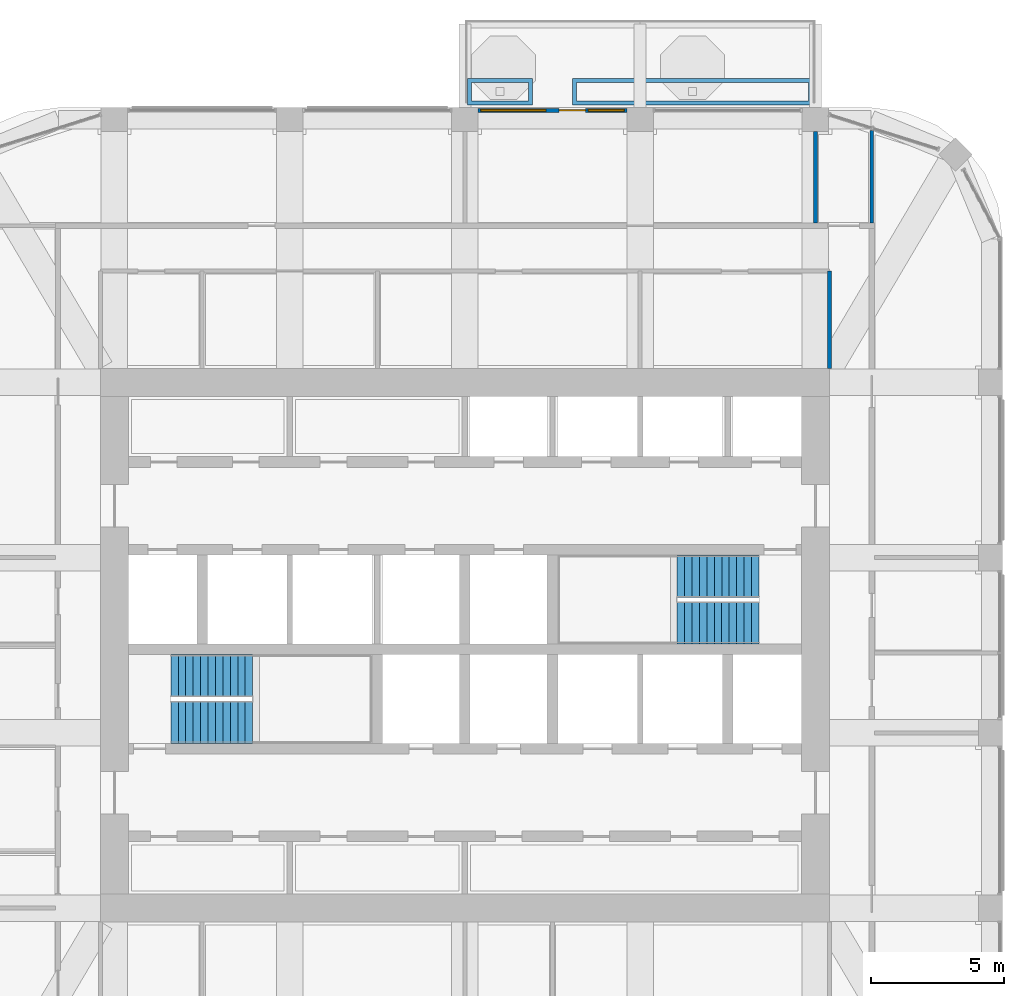
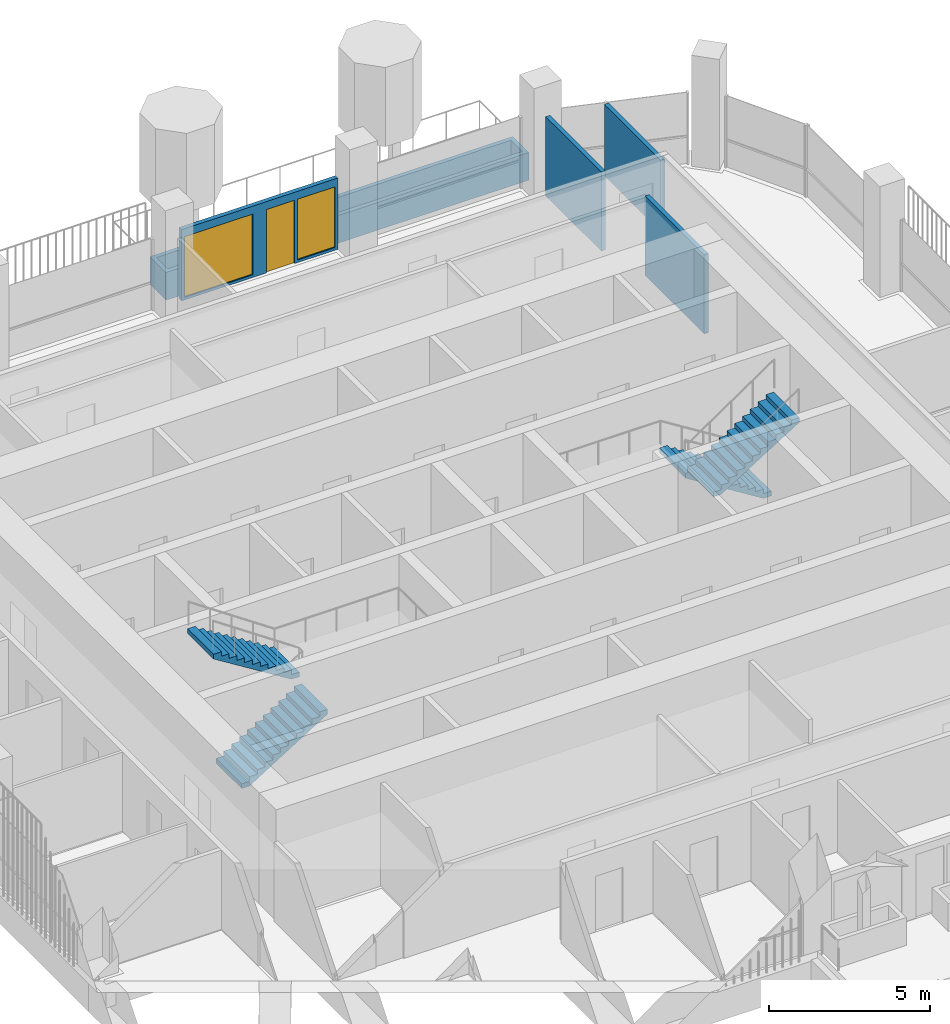
# One storey, part 17 of 21: 6 walls, 4 stair flights, 2 windows, 1 door, 3 openings, 2 elements without a shape of their own.
"""IFC4 building model written with IfcOpenShell, lengths in metres."""

from ifc_helpers import new_model, si_unit, direction, frame, frame_2d, origin, place, context, subcontext, project, spatial, polyline, rectangle, outline, extrude, material, layer, layer_set, type_object, element, fill, aggregate, save


model = new_model("IFC4")

# Units and contexts
model_context = context("Model", 3, precision=1e-05, world=origin(), true_north=direction((0.0, 1.0)))
body_context = subcontext(model_context, "Body", "Model", "MODEL_VIEW")
ifc_project = project(units=[si_unit("LENGTHUNIT", "METRE"), si_unit("AREAUNIT", "SQUARE_METRE"), si_unit("VOLUMEUNIT", "CUBIC_METRE"), si_unit("PLANEANGLEUNIT", "RADIAN"), si_unit("MASSUNIT", "GRAM", prefix="KILO")], contexts=[model_context])

# Site, building, storey
site_placement = place(None, origin())
site = spatial("IfcSite", under=ifc_project, at=site_placement, CompositionType="ELEMENT")
building_placement = place(site_placement, origin())
building = spatial("IfcBuilding", under=site, at=building_placement, Name="Cobogo Forest Laboratory Tower", CompositionType="ELEMENT")
storey_placement = place(building_placement, frame((0.0, 0.0, 258.60009765625)))
storey = spatial("IfcBuildingStorey", under=building, at=storey_placement, Name="L59", CompositionType="ELEMENT", Elevation=258.60009765625)

# Wall, openings, door, windows
ifc_material_1 = material(Name="Aluminium framed glazed screen", Category="aluminium")
ifc_layer_1 = layer(ifc_material_1, 0.14990234375)
ifc_layer_set_1 = layer_set([ifc_layer_1], Name="GS1 glazed door screen 150")
wall_type_1 = type_object("IfcWallType", Name="GS1 glazed door screen 150", PredefinedType="SOLIDWALL", material=ifc_layer_set_1)
wall_1_placement = place(storey_placement, frame((32.5, 43.25, 0.0), z_axis=(0.0, 0.0, 1.0), x_axis=(-1.0, 0.0, 0.0)))
wall_1 = element("IfcWall", 1, at=wall_1_placement, inside=storey, type_object=wall_type_1, Name="Door screen BAL-N1 L59", PredefinedType="SOLIDWALL", context=body_context, shape_type="SweptSolid", body=[
    extrude(rectangle(XDim=5.60009765625, YDim=0.14990234375, at=frame_2d((2.800048828125, 0.0))), origin(), (0.0, 0.0, 1.0), 2.699951171875),
])
opening_1_placement = place(wall_1_placement, frame((1.550048828125, 0.0, 0.0)))
opening_1 = element("IfcOpeningElement", 2, at=opening_1_placement, cuts=wall_1, Name="Opening L59-D49", PredefinedType="OPENING", context=body_context, shape_type="SweptSolid", body=[
    extrude(rectangle(XDim=1.0, YDim=2.39990234375, at=frame_2d((0.5, 1.199951171875))), frame((0.0, 0.0849609375, 0.0), z_axis=(0.0, -1.0, 0.0), x_axis=(1.0, 0.0, 0.0)), (0.0, 0.0, 1.0), 0.169921875),
])
opening_2_placement = place(wall_1_placement, frame((0.10009765625, 0.0, 0.10009765625)))
opening_2 = element("IfcOpeningElement", 3, at=opening_2_placement, cuts=wall_1, Name="Opening L59-W04", PredefinedType="OPENING", context=body_context, shape_type="SweptSolid", body=[
    extrude(rectangle(XDim=1.35009765625, YDim=2.300048828125, at=frame_2d((0.675048828125, 1.14990234375))), frame((0.0, 0.0849609375, 0.0), z_axis=(0.0, -1.0, 0.0), x_axis=(1.0, 0.0, 0.0)), (0.0, 0.0, 1.0), 0.169921875),
])
opening_3_placement = place(wall_1_placement, frame((3.050048828125, 0.0, 0.10009765625)))
opening_3 = element("IfcOpeningElement", 4, at=opening_3_placement, cuts=wall_1, Name="Opening L59-W03", PredefinedType="OPENING", context=body_context, shape_type="SweptSolid", body=[
    extrude(rectangle(XDim=2.449951171875, YDim=2.300048828125, at=frame_2d((1.22509765625, 1.14990234375))), frame((0.0, 0.0849609375, 0.0), z_axis=(0.0, -1.0, 0.0), x_axis=(1.0, 0.0, 0.0)), (0.0, 0.0, 1.0), 0.169921875),
])
ifc_material_2 = material(Name="Aluminium glazed door", Category="aluminium")
door_type = type_object("IfcDoorType", Name="DB1 balcony door 1000 glazed", OperationType="SINGLE_SWING_LEFT", PredefinedType="DOOR", material=ifc_material_2)
door_placement = place(opening_1_placement, origin())
door = element("IfcDoor", 5, at=door_placement, inside=storey, type_object=door_type, Name="Door L59-BAL-N1", OperationType="SINGLE_SWING_LEFT", OverallHeight=2.39990234375, OverallWidth=1.0, PredefinedType="DOOR", context=body_context, shape_type="SweptSolid", body=[
    extrude(rectangle(XDim=1.0, YDim=2.39990234375, at=frame_2d((0.5, 1.199951171875))), frame((0.0, 0.02490234375, 0.0), z_axis=(0.0, -1.0, 0.0), x_axis=(1.0, 0.0, 0.0)), (0.0, 0.0, 1.0), 0.050048828125),
])
fill(opening_1, door)
ifc_material_3 = material(Name="Aluminium framed glazing", Category="aluminium")
window_type_1 = type_object("IfcWindowType", Name="WG23 fixed glazed light 2450x2300", PartitioningType="SINGLE_PANEL", PredefinedType="WINDOW", material=ifc_material_3)
window_1_placement = place(opening_3_placement, origin())
window_1 = element("IfcWindow", 6, at=window_1_placement, inside=storey, type_object=window_type_1, Name="Window L59-BAL-N1-2", OverallHeight=2.300048828125, OverallWidth=2.449951171875, PartitioningType="SINGLE_PANEL", PredefinedType="WINDOW", context=body_context, shape_type="SweptSolid", body=[
    extrude(rectangle(XDim=2.449951171875, YDim=2.300048828125, at=frame_2d((1.22509765625, 1.14990234375))), frame((0.0, 0.030029296875, 0.0), z_axis=(0.0, -1.0, 0.0), x_axis=(1.0, 0.0, 0.0)), (0.0, 0.0, 1.0), 0.06005859375),
])
fill(opening_3, window_1)
window_type_2 = type_object("IfcWindowType", Name="WG24 fixed glazed light 1350x2300", PartitioningType="SINGLE_PANEL", PredefinedType="WINDOW", material=ifc_material_3)
window_2_placement = place(opening_2_placement, origin())
window_2 = element("IfcWindow", 7, at=window_2_placement, inside=storey, type_object=window_type_2, Name="Window L59-BAL-N1-1", OverallHeight=2.300048828125, OverallWidth=1.35009765625, PartitioningType="SINGLE_PANEL", PredefinedType="WINDOW", context=body_context, shape_type="SweptSolid", body=[
    extrude(rectangle(XDim=1.35009765625, YDim=2.300048828125, at=frame_2d((0.675048828125, 1.14990234375))), frame((0.0, 0.030029296875, 0.0), z_axis=(0.0, -1.0, 0.0), x_axis=(1.0, 0.0, 0.0)), (0.0, 0.0, 1.0), 0.06005859375),
])
fill(opening_2, window_2)

# Walls
ifc_material_4 = material(Name="Gypsum board on steel studs", Category="steel")
ifc_layer_2 = layer(ifc_material_4, 0.14990234375)
ifc_layer_set_2 = layer_set([ifc_layer_2], Name="PT1 laboratory partition 150")
wall_type_2 = type_object("IfcWallType", Name="PT1 laboratory partition 150", PredefinedType="PARTITIONING", material=ifc_layer_set_2)
wall_2_placement = place(storey_placement, frame((40.125, 33.52490234375, 0.0), z_axis=(0.0, 0.0, 1.0), x_axis=(0.0, 1.0, 0.0)))
element("IfcWall", 8, at=wall_2_placement, inside=storey, type_object=wall_type_2, Name="Partition CSTRIP-NE L59", PredefinedType="PARTITIONING", context=body_context, shape_type="SweptSolid", body=[
    extrude(rectangle(XDim=3.675048828125, YDim=0.14990234375, at=frame_2d((1.83740234375, 0.0))), origin(), (0.0, 0.0, 1.0), 3.0),
])
wall_3_placement = place(storey_placement, frame((41.72509765625, 42.4951171875, 0.0), z_axis=(0.0, 0.0, 1.0), x_axis=(0.0, -1.0, 0.0)))
element("IfcWall", 9, at=wall_3_placement, inside=storey, type_object=wall_type_2, Name="Partition PW-NE L59", PredefinedType="PARTITIONING", context=body_context, shape_type="SweptSolid", body=[
    extrude(rectangle(XDim=3.4951171875, YDim=0.14990234375, at=frame_2d((1.74755859375, 0.0))), origin(), (0.0, 0.0, 1.0), 2.699951171875),
])
wall_4_placement = place(storey_placement, frame((39.60009765625, 42.449951171875, 0.0), z_axis=(0.0, 0.0, 1.0), x_axis=(0.0, -1.0, 0.0)))
element("IfcWall", 10, at=wall_4_placement, inside=storey, type_object=wall_type_2, Name="Partition CUT-N39.6-1 L59", PredefinedType="PARTITIONING", context=body_context, shape_type="SweptSolid", body=[
    extrude(rectangle(XDim=3.449951171875, YDim=0.14990234375, at=frame_2d((1.72509765625, 0.0))), origin(), (0.0, 0.0, 1.0), 3.0),
])
ifc_material_5 = material(Name="Concrete HA-40 (C40/50)", Category="concrete")
ifc_layer_3 = layer(ifc_material_5, 0.14990234375)
ifc_layer_set_3 = layer_set([ifc_layer_3], Name="Planter box 1000x1050")
wall_type_3 = type_object("IfcWallType", Name="Planter box 1000x1050", PredefinedType="USERDEFINED", material=ifc_layer_set_3)
wall_5_placement = place(storey_placement, origin())
element("IfcWall", 11, at=wall_5_placement, inside=storey, type_object=wall_type_3, Name="Planter BAL-N1-1 L59", ObjectType="PLANTER", PredefinedType="USERDEFINED", context=body_context, shape_type="SweptSolid", body=[
    extrude(outline(polyline([(26.5, 43.449951171875), (28.949951171875, 43.449951171875), (28.949951171875, 44.449951171875), (26.5, 44.449951171875), (26.5, 43.449951171875)]), holes=[polyline([(26.64990234375, 43.60009765625), (28.800048828125, 43.60009765625), (28.800048828125, 44.300048828125), (26.64990234375, 44.300048828125), (26.64990234375, 43.60009765625)])]), origin(), (0.0, 0.0, 1.0), 1.0498046875),
])
wall_6_placement = place(storey_placement, origin())
element("IfcWall", 12, at=wall_6_placement, inside=storey, type_object=wall_type_3, Name="Planter BAL-N1-2 L59", ObjectType="PLANTER", PredefinedType="USERDEFINED", context=body_context, shape_type="SweptSolid", body=[
    extrude(outline(polyline([(30.449951171875, 43.449951171875), (39.5, 43.449951171875), (39.5, 44.449951171875), (30.449951171875, 44.449951171875), (30.449951171875, 43.449951171875)]), holes=[polyline([(30.60009765625, 43.60009765625), (39.35009765625, 43.60009765625), (39.35009765625, 44.300048828125), (30.60009765625, 44.300048828125), (30.60009765625, 43.60009765625)])]), origin(), (0.0, 0.0, 1.0), 1.0498046875),
])

# Stair, stair flights
ifc_material_6 = material(Name="Precast concrete HA-40 (C40/50)", Category="concrete")
stair_type = type_object("IfcStairType", Name="ST24 exit stair 24 risers", PredefinedType="HALF_TURN_STAIR", material=ifc_material_6)
stair_1_placement = place(storey_placement, origin())
stair_1 = element("IfcStair", 13, at=stair_1_placement, inside=storey, type_object=stair_type, Name="Stair 1 L59 to L60", PredefinedType="HALF_TURN_STAIR")
stair_flight_type = type_object("IfcStairFlightType", Name="ST stair flight 280 going", PredefinedType="STRAIGHT", material=ifc_material_6)
stair_flight_1_placement = place(storey_placement, frame((15.324951171875, 20.199951171875, 0.0), z_axis=(0.0, 0.0, 1.0), x_axis=(1.0, 0.0, 0.0)))
stair_flight_1 = element("IfcStairFlight", 14, at=stair_flight_1_placement, type_object=stair_flight_type, Name="ST1 flight 1", NumberOfRisers=12, NumberOfTreads=11, PredefinedType="STRAIGHT", RiserHeight=0.175, TreadLength=0.28, context=body_context, shape_type="SweptSolid", body=[
    extrude(outline(polyline([(0.0, 0.0), (0.0, 0.175048828125), (0.280029296875, 0.175048828125), (0.280029296875, 0.35009765625), (0.56005859375, 0.35009765625), (0.56005859375, 0.52490234375), (0.840087890625, 0.52490234375), (0.840087890625, 0.699951171875), (1.1201171875, 0.699951171875), (1.1201171875, 0.875), (1.39990234375, 0.875), (1.39990234375, 1.050048828125), (1.679931640625, 1.050048828125), (1.679931640625, 1.22509765625), (1.9599609375, 1.22509765625), (1.9599609375, 1.39990234375), (2.239990234375, 1.39990234375), (2.239990234375, 1.574951171875), (2.52001953125, 1.574951171875), (2.52001953125, 1.75), (2.800048828125, 1.75), (2.800048828125, 1.925048828125), (3.080078125, 1.925048828125), (3.080078125, 2.10009765625), (3.080078125, 1.748291015625), (0.28271484375, 0.0), (0.0, 0.0)])), frame((0.0, 0.800048828125, 0.0), z_axis=(0.0, -1.0, 0.0), x_axis=(1.0, 0.0, 0.0)), (0.0, 0.0, 1.0), 1.60009765625),
])
stair_flight_2_placement = place(storey_placement, frame((18.405029296875, 21.949951171875, 2.099853515625), z_axis=(0.0, 0.0, 1.0), x_axis=(-1.0, 0.0, 0.0)))
stair_flight_2 = element("IfcStairFlight", 15, at=stair_flight_2_placement, type_object=stair_flight_type, Name="ST1 flight 2", NumberOfRisers=12, NumberOfTreads=11, PredefinedType="STRAIGHT", RiserHeight=0.175, TreadLength=0.28, context=body_context, shape_type="SweptSolid", body=[
    extrude(outline(polyline([(0.0, 0.0), (0.0, 0.175048828125), (0.280029296875, 0.175048828125), (0.280029296875, 0.35009765625), (0.56005859375, 0.35009765625), (0.56005859375, 0.52490234375), (0.840087890625, 0.52490234375), (0.840087890625, 0.699951171875), (1.1201171875, 0.699951171875), (1.1201171875, 0.875), (1.39990234375, 0.875), (1.39990234375, 1.050048828125), (1.679931640625, 1.050048828125), (1.679931640625, 1.22509765625), (1.9599609375, 1.22509765625), (1.9599609375, 1.39990234375), (2.239990234375, 1.39990234375), (2.239990234375, 1.574951171875), (2.52001953125, 1.574951171875), (2.52001953125, 1.75), (2.800048828125, 1.75), (2.800048828125, 1.925048828125), (3.080078125, 1.925048828125), (3.080078125, 2.10009765625), (3.080078125, 1.748291015625), (0.28271484375, 0.0), (0.0, 0.0)])), frame((0.0, 0.800048828125, 0.0), z_axis=(0.0, -1.0, 0.0), x_axis=(1.0, 0.0, 0.0)), (0.0, 0.0, 1.0), 1.60009765625),
])
aggregate(stair_1, [stair_flight_1, stair_flight_2])

stair_2_placement = place(storey_placement, origin())
stair_2 = element("IfcStair", 16, at=stair_2_placement, inside=storey, type_object=stair_type, Name="Stair 2 L59 to L60", PredefinedType="HALF_TURN_STAIR")
stair_flight_3_placement = place(storey_placement, frame((37.47509765625, 25.699951171875, 0.0), z_axis=(0.0, 0.0, 1.0), x_axis=(-1.0, 0.0, 0.0)))
stair_flight_3 = element("IfcStairFlight", 17, at=stair_flight_3_placement, type_object=stair_flight_type, Name="ST2 flight 1", NumberOfRisers=12, NumberOfTreads=11, PredefinedType="STRAIGHT", RiserHeight=0.175, TreadLength=0.28, context=body_context, shape_type="SweptSolid", body=[
    extrude(outline(polyline([(0.0, 0.0), (0.0, 0.175048828125), (0.280029296875, 0.175048828125), (0.280029296875, 0.35009765625), (0.56005859375, 0.35009765625), (0.56005859375, 0.52490234375), (0.840087890625, 0.52490234375), (0.840087890625, 0.699951171875), (1.1201171875, 0.699951171875), (1.1201171875, 0.875), (1.39990234375, 0.875), (1.39990234375, 1.050048828125), (1.679931640625, 1.050048828125), (1.679931640625, 1.22509765625), (1.9599609375, 1.22509765625), (1.9599609375, 1.39990234375), (2.239990234375, 1.39990234375), (2.239990234375, 1.574951171875), (2.52001953125, 1.574951171875), (2.52001953125, 1.75), (2.800048828125, 1.75), (2.800048828125, 1.925048828125), (3.080078125, 1.925048828125), (3.080078125, 2.10009765625), (3.080078125, 1.748291015625), (0.28271484375, 0.0), (0.0, 0.0)])), frame((0.0, 0.800048828125, 0.0), z_axis=(0.0, -1.0, 0.0), x_axis=(1.0, 0.0, 0.0)), (0.0, 0.0, 1.0), 1.60009765625),
])
stair_flight_4_placement = place(storey_placement, frame((34.39501953125, 23.949951171875, 2.099853515625), z_axis=(0.0, 0.0, 1.0), x_axis=(1.0, 0.0, 0.0)))
stair_flight_4 = element("IfcStairFlight", 18, at=stair_flight_4_placement, type_object=stair_flight_type, Name="ST2 flight 2", NumberOfRisers=12, NumberOfTreads=11, PredefinedType="STRAIGHT", RiserHeight=0.175, TreadLength=0.28, context=body_context, shape_type="SweptSolid", body=[
    extrude(outline(polyline([(0.0, 0.0), (0.0, 0.175048828125), (0.280029296875, 0.175048828125), (0.280029296875, 0.35009765625), (0.56005859375, 0.35009765625), (0.56005859375, 0.52490234375), (0.840087890625, 0.52490234375), (0.840087890625, 0.699951171875), (1.1201171875, 0.699951171875), (1.1201171875, 0.875), (1.39990234375, 0.875), (1.39990234375, 1.050048828125), (1.679931640625, 1.050048828125), (1.679931640625, 1.22509765625), (1.9599609375, 1.22509765625), (1.9599609375, 1.39990234375), (2.239990234375, 1.39990234375), (2.239990234375, 1.574951171875), (2.52001953125, 1.574951171875), (2.52001953125, 1.75), (2.800048828125, 1.75), (2.800048828125, 1.925048828125), (3.080078125, 1.925048828125), (3.080078125, 2.10009765625), (3.080078125, 1.748291015625), (0.28271484375, 0.0), (0.0, 0.0)])), frame((0.0, 0.800048828125, 0.0), z_axis=(0.0, -1.0, 0.0), x_axis=(1.0, 0.0, 0.0)), (0.0, 0.0, 1.0), 1.60009765625),
])
aggregate(stair_2, [stair_flight_3, stair_flight_4])

save(model, "model.ifc")
